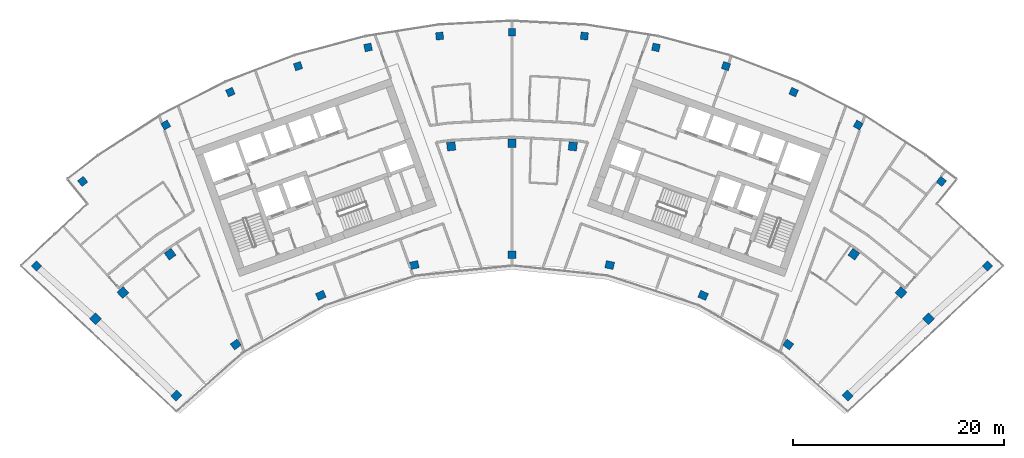
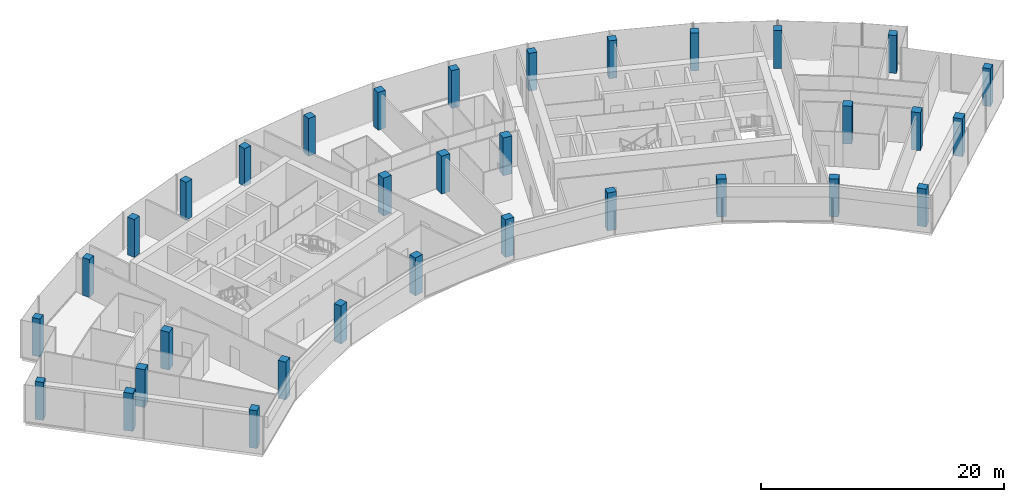
# One storey, part 1 of 18: 33 columns.
"""IFC4 building model written with IfcOpenShell, lengths in metres."""

import ifcopenshell
import ifcopenshell.guid

model = None  # the IFC model being written
_history = None  # IfcOwnerHistory: only IFC2X3 demands one
_inside = {}  # id of a spatial element -> (the spatial element, [elements in it])
_under = {}  # id of a project, library or spatial element -> (it, [spatial elements below it])
_declared = {}  # id of a project -> (the project, [libraries it declares])
_typed = {}  # id of a type object -> (the type object, [elements of that type])
_made_of = {}  # id of a material, layer set ... -> (it, [elements and type objects made of it])


def new_model(schema):
    """Start an empty IFC model of exactly this schema.

    Asked for "IFC4X3", IfcOpenShell would pick the latest addendum, in which some entities
    have other attributes; the version numbers below select the first issue.
    IFC2X3 requires an IfcOwnerHistory on every rooted entity: one is made here for all.
    """
    global model, _history
    if schema == "IFC4X3":
        model = ifcopenshell.file(schema_version=(4, 3, 0, 0))
    else:
        model = ifcopenshell.file(schema=schema)
    _inside.clear()
    _under.clear()
    _declared.clear()
    _typed.clear()
    _made_of.clear()
    _history = None
    if model.schema == "IFC2X3":
        org = make("IfcOrganization", Name="unknown")
        user = make(
            "IfcPersonAndOrganization",
            ThePerson=make("IfcPerson", FamilyName="unknown"),
            TheOrganization=org,
        )
        app = make(
            "IfcApplication",
            ApplicationDeveloper=org,
            Version="unknown",
            ApplicationFullName="unknown",
            ApplicationIdentifier="unknown",
        )
        _history = make(
            "IfcOwnerHistory",
            OwningUser=user,
            OwningApplication=app,
            ChangeAction="ADDED",
            CreationDate=0,
        )
    return model


def make(cls, **values):
    """One entity of the class cls with the attributes given. An attribute that is None is left unset."""
    return model.create_entity(
        cls, **{name: value for name, value in values.items() if value is not None}
    )


def rooted(cls, **values):
    """An entity with a GlobalId (a new one), such as an element, a storey or a relation."""
    return make(cls, GlobalId=ifcopenshell.guid.new(), OwnerHistory=_history, **values)


def si_unit(unit_type, name, prefix=None):
    """IfcSIUnit, for example si_unit("LENGTHUNIT", "METRE", prefix="MILLI")."""
    return make("IfcSIUnit", UnitType=unit_type, Prefix=prefix, Name=name)


def assignment(units):
    """IfcUnitAssignment: the units of a project."""
    return None if units is None else make("IfcUnitAssignment", Units=units)


def point(xyz):
    """IfcCartesianPoint."""
    return None if xyz is None else make("IfcCartesianPoint", Coordinates=xyz)


def direction(xyz):
    """IfcDirection."""
    return None if xyz is None else make("IfcDirection", DirectionRatios=xyz)


def frame(location, z_axis=None, x_axis=None):
    """IfcAxis2Placement3D, a coordinate frame: its origin and axes. An axis left out is left unset."""
    return make(
        "IfcAxis2Placement3D",
        Location=point(location),
        Axis=direction(z_axis),
        RefDirection=direction(x_axis),
    )


def frame_2d(location, x_axis=None):
    """IfcAxis2Placement2D, a coordinate frame in the plane: its origin and x axis."""
    return make(
        "IfcAxis2Placement2D", Location=point(location), RefDirection=direction(x_axis)
    )


def origin():
    """The frame at (0, 0, 0) with its axes left unset."""
    return frame((0.0, 0.0, 0.0))


def origin_2d():
    """The frame at (0, 0) in the plane with its x axis left unset."""
    return frame_2d((0.0, 0.0))


def place(relative_to, where):
    """IfcLocalPlacement: puts the frame where relative to a parent placement (None: the world)."""
    return make(
        "IfcLocalPlacement", PlacementRelTo=relative_to, RelativePlacement=where
    )


def context(
    kind, dimensions, precision=None, world=None, true_north=None, identifier=None
):
    """IfcGeometricRepresentationContext, for example the 3D "Model" context."""
    return make(
        "IfcGeometricRepresentationContext",
        ContextIdentifier=identifier,
        ContextType=kind,
        CoordinateSpaceDimension=dimensions,
        Precision=precision,
        WorldCoordinateSystem=world,
        TrueNorth=true_north,
    )


def subcontext(parent, identifier, kind, view, scale=None):
    """IfcGeometricRepresentationSubContext, for example "Body" below "Model"."""
    return make(
        "IfcGeometricRepresentationSubContext",
        ContextIdentifier=identifier,
        ContextType=kind,
        ParentContext=parent,
        TargetScale=scale,
        TargetView=view,
    )


def project(units=None, contexts=None):
    """IfcProject with its units and contexts."""
    return rooted(
        "IfcProject",
        Name="project",
        RepresentationContexts=contexts,
        UnitsInContext=assignment(units),
    )


def spatial(cls, under=None, at=None, **own):
    """A site, building, storey or space (cls), placed at a placement, below another one or the project."""
    s = rooted(cls, ObjectPlacement=at, **own)
    if under is not None:
        _under.setdefault(under.id(), (under, []))[1].append(s)
    return s


def profile(cls, at=None, kind="AREA", **sizes):
    """A parametric profile (cls). Its sizes go by their IFC names, for example OverallWidth=200.0."""
    return make(cls, ProfileType=kind, Position=at, **sizes)


def rectangle(**sizes):
    """IfcRectangleProfileDef."""
    return profile("IfcRectangleProfileDef", **sizes)


def extrude(swept, where, along, depth):
    """IfcExtrudedAreaSolid: the profile swept, set in the frame where, extruded along a direction by depth."""
    return make(
        "IfcExtrudedAreaSolid",
        SweptArea=swept,
        Position=where,
        ExtrudedDirection=direction(along),
        Depth=depth,
    )


def shape(context_of_items, identifier, shape_type, items):
    """IfcShapeRepresentation: the items that make up one representation, for example the "Body"."""
    return make(
        "IfcShapeRepresentation",
        ContextOfItems=context_of_items,
        RepresentationIdentifier=identifier,
        RepresentationType=shape_type,
        Items=items,
    )


def material(Name=None, Category=None):
    """IfcMaterial."""
    return make("IfcMaterial", Name=Name, Category=Category)


def material_profile(
    of_material, cross_section, Name=None, Category=None, Priority=None
):
    """IfcMaterialProfile: a cross section and its material."""
    return make(
        "IfcMaterialProfile",
        Name=Name,
        Material=of_material,
        Profile=cross_section,
        Priority=Priority,
        Category=Category,
    )


def profile_set(profiles, Name=None, composite=None):
    """IfcMaterialProfileSet."""
    return make(
        "IfcMaterialProfileSet",
        Name=Name,
        MaterialProfiles=profiles,
        CompositeProfile=composite,
    )


def made_of(thing, what):
    """Note that an element or type object is made of a material, layer set ...; save() writes the relation."""
    if what is not None:
        _made_of.setdefault(what.id(), (what, []))[1].append(thing)
    return thing


def type_object(cls, material=None, **own):
    """A type object (cls), such as IfcWallType, which elements share."""
    return made_of(rooted(cls, **own), material)


def element(
    cls,
    number,
    at=None,
    inside=None,
    cuts=None,
    type_object=None,
    material=None,
    context=None,
    identifier="Body",
    shape_type=None,
    held_by="IfcProductDefinitionShape",
    body=None,
    shapes=None,
    **own,
):
    """One element of the class cls, such as IfcWall. Its Tag is "e" and its number.

    at: its placement. inside: the storey or other place that contains it. cuts: it is an
    opening in that element (IfcRelVoidsElement). A single representation is given by context,
    identifier, shape_type and body (its items); several are given by shapes. held_by: the class
    of the entity that holds the representations. save() writes the other relations.
    """
    e = rooted(cls, Tag="e%d" % number, ObjectPlacement=at, **own)
    if body is not None:
        shapes = [shape(context, identifier, shape_type, body)]
    if shapes is not None:
        e.Representation = make(held_by, Representations=shapes)
    if inside is not None:
        _inside.setdefault(inside.id(), (inside, []))[1].append(e)
    if cuts is not None:
        rooted(
            "IfcRelVoidsElement", RelatingBuildingElement=cuts, RelatedOpeningElement=e
        )
    if type_object is not None:
        _typed.setdefault(type_object.id(), (type_object, []))[1].append(e)
    return made_of(e, material)


def aggregate(whole, parts):
    """IfcRelAggregates: a whole, such as a stair, and the parts it consists of."""
    return rooted("IfcRelAggregates", RelatingObject=whole, RelatedObjects=parts)


def save(model, path):
    """Write the relations noted so far, then the file.

    IfcRelAggregates (storeys below a building ...), IfcRelContainedInSpatialStructure (elements
    in a storey), IfcRelDefinesByType, IfcRelAssociatesMaterial and IfcRelDeclares: one each for
    every whole, place, type object, material and project.
    """
    for whole, parts in _under.values():
        aggregate(whole, parts)
    for where, things in _inside.values():
        rooted(
            "IfcRelContainedInSpatialStructure",
            RelatedElements=things,
            RelatingStructure=where,
        )
    for kind, things in _typed.values():
        rooted("IfcRelDefinesByType", RelatedObjects=things, RelatingType=kind)
    for what, things in _made_of.values():
        rooted("IfcRelAssociatesMaterial", RelatedObjects=things, RelatingMaterial=what)
    for by, libraries in _declared.values():
        rooted("IfcRelDeclares", RelatingContext=by, RelatedDefinitions=libraries)
    model.write(path)


model = new_model("IFC4")

# Units and contexts
model_context = context("Model", 3, precision=1e-05, world=origin(), true_north=direction((0.0, 1.0)))
body_context = subcontext(model_context, "Body", "Model", "MODEL_VIEW")
ifc_project = project(units=[si_unit("LENGTHUNIT", "METRE"), si_unit("AREAUNIT", "SQUARE_METRE"), si_unit("VOLUMEUNIT", "CUBIC_METRE"), si_unit("PLANEANGLEUNIT", "RADIAN"), si_unit("MASSUNIT", "GRAM", prefix="KILO")], contexts=[model_context])

# Site, building, storey
site_placement = place(None, origin())
site = spatial("IfcSite", under=ifc_project, at=site_placement, CompositionType="ELEMENT")
building_placement = place(site_placement, origin())
building = spatial("IfcBuilding", under=site, at=building_placement, Name="Stone Belt Terrace Tower", CompositionType="ELEMENT")
storey_placement = place(building_placement, frame((0.0, 0.0, 273.199951171875)))
storey = spatial("IfcBuildingStorey", under=building, at=storey_placement, Name="L66", CompositionType="ELEMENT", Elevation=273.199951171875)

# Columns
ifc_material = material(Name="Concrete B60", Category="concrete")
ifc_material_profile_1 = material_profile(ifc_material, rectangle(XDim=0.699951171875, YDim=0.699951171875, at=origin_2d()), Name="RC 700x700")
ifc_profile_set_1 = profile_set([ifc_material_profile_1], Name="Concrete B60")
column_type_1 = type_object("IfcColumnType", Name="Column RC 700x700 B60", PredefinedType="COLUMN", material=ifc_profile_set_1)
for number, where, z_axis, x_axis, name in (
    (1, (-44.97705078125, 43.381103515625, 0.0), (0.0, 0.0, 1.0), (0.694221333646, 0.719761585465, 0.0), "Column L66 RA"),
    (2, (44.97705078125, 43.381103515625, 0.0), (0.0, 0.0, 1.0), (0.694221333646, -0.719761585465, 0.0), "Column L66 RB"),
    (3, (-40.605712890625, 51.380615234375, 0.0), (0.0, 0.0, 1.0), (0.784569718703, 0.620040608746, 0.0), "Column L66 RNA"),
    (4, (-32.744384765625, 56.715087890625, 0.0), (0.0, 0.0, 1.0), (0.866025403784, 0.5, 0.0), "Column L66 R17"),
    (5, (-26.63671875, 59.8271484375, 0.0), (0.0, 0.0, 1.0), (0.913545457643, 0.406736643076, 0.0), "Column L66 R18"),
    (6, (-20.2373046875, 62.28369140625, 0.0), (0.0, 0.0, 1.0), (0.951056516295, 0.309016994375, 0.0), "Column L66 R19"),
    (7, (-13.615966796875, 64.057861328125, 0.0), (0.0, 0.0, 1.0), (0.978147600734, 0.207911690818, 0.0), "Column L66 R20"),
    (8, (-6.845458984375, 65.130126953125, 0.0), (0.0, 0.0, 1.0), (0.994521895368, 0.104528463268, 0.0), "Column L66 R21"),
    (9, (0.0, 65.489013671875, 0.0), (0.0, 0.0, 1.0), (1.0, 0.0, 0.0), "Column L66 R22"),
    (10, (6.845458984375, 65.130126953125, 0.0), (0.0, 0.0, 1.0), (0.994521895368, -0.104528463268, 0.0), "Column L66 R23"),
    (11, (13.615966796875, 64.057861328125, 0.0), (0.0, 0.0, 1.0), (0.978147600734, -0.207911690818, 0.0), "Column L66 R24"),
    (12, (20.2373046875, 62.28369140625, 0.0), (0.0, 0.0, 1.0), (0.951056516295, -0.309016994375, 0.0), "Column L66 R25"),
    (13, (26.63671875, 59.8271484375, 0.0), (0.0, 0.0, 1.0), (0.913545457643, -0.406736643076, 0.0), "Column L66 R26"),
    (14, (32.744384765625, 56.715087890625, 0.0), (0.0, 0.0, 1.0), (0.866025403784, -0.5, 0.0), "Column L66 R27"),
    (15, (40.605712890625, 51.380615234375, 0.0), (0.0, 0.0, 1.0), (0.784569718703, -0.620040608746, 0.0), "Column L66 RNB"),
):
    element("IfcColumn", number, at=place(storey_placement, frame(where, z_axis=z_axis, x_axis=x_axis)), inside=storey, type_object=column_type_1, Name=name, PredefinedType="COLUMN", context=body_context, shape_type="SweptSolid", body=[
        extrude(rectangle(XDim=0.699951171875, YDim=0.699951171875, at=origin_2d()), origin(), (0.0, 0.0, 1.0), 3.800048828125),
    ])
ifc_material_profile_2 = material_profile(ifc_material, rectangle(XDim=0.800048828125, YDim=0.699951171875, at=origin_2d()), Name="RC 800x700")
ifc_profile_set_2 = profile_set([ifc_material_profile_2], Name="Concrete B60")
column_type_2 = type_object("IfcColumnType", Name="Column RC 800x700 B60", PredefinedType="COLUMN", material=ifc_profile_set_2)
for number, where, z_axis, x_axis, name in (
    (16, (-31.73486328125, 31.11669921875, 0.0), (0.0, 0.0, 1.0), (0.700119596097, 0.714025595592, 0.0), "Column L66 PA"),
    (17, (-26.1240234375, 35.956787109375, 0.0), (0.0, 0.0, 1.0), (0.809016994375, 0.587785252292, 0.0), "Column L66 P16"),
    (18, (-18.077392578125, 40.6025390625, 0.0), (0.0, 0.0, 1.0), (0.913545457643, 0.406736643076, 0.0), "Column L66 P18"),
    (19, (-9.240478515625, 43.473876953125, 0.0), (0.0, 0.0, 1.0), (0.978147600734, 0.207911690818, 0.0), "Column L66 P20"),
    (20, (0.0, 44.445068359375, 0.0), (0.0, 0.0, 1.0), (1.0, 0.0, 0.0), "Column L66 P22"),
    (21, (9.240478515625, 43.473876953125, 0.0), (0.0, 0.0, 1.0), (0.978147600734, -0.207911690818, 0.0), "Column L66 P24"),
    (22, (18.077392578125, 40.6025390625, 0.0), (0.0, 0.0, 1.0), (0.913545457643, -0.406736643076, 0.0), "Column L66 P26"),
    (23, (26.1240234375, 35.956787109375, 0.0), (0.0, 0.0, 1.0), (0.809016994375, -0.587785252292, 0.0), "Column L66 P28"),
    (24, (31.73486328125, 31.11669921875, 0.0), (0.0, 0.0, 1.0), (0.700119596097, -0.714025595592, 0.0), "Column L66 PB"),
):
    element("IfcColumn", number, at=place(storey_placement, frame(where, z_axis=z_axis, x_axis=x_axis)), inside=storey, type_object=column_type_2, Name=name, PredefinedType="COLUMN", context=body_context, shape_type="SweptSolid", body=[
        extrude(rectangle(XDim=0.800048828125, YDim=0.699951171875, at=origin_2d()), origin(), (0.0, 0.0, 1.0), 3.800048828125),
    ])
ifc_material_profile_3 = material_profile(ifc_material, rectangle(XDim=0.800048828125, YDim=0.800048828125, at=origin_2d()), Name="RC 800x800")
ifc_profile_set_3 = profile_set([ifc_material_profile_3], Name="Concrete B60")
column_type_3 = type_object("IfcColumnType", Name="Column RC 800x800 B60", PredefinedType="COLUMN", material=ifc_profile_set_3)
for number, where, z_axis, x_axis, name in (
    (25, (-39.38818359375, 38.386962890625, 0.0), (0.0, 0.0, 1.0), (0.697944216238, 0.716152128406, 0.0), "Column L66 QA"),
    (26, (-36.80224609375, 40.873046875, 0.0), (0.0, 0.0, 1.0), (0.743144825477, 0.669130606359, 0.0), "Column L66 Q15"),
    (27, (-32.328125, 44.495849609375, 0.0), (0.0, 0.0, 1.0), (0.809016994375, 0.587785252292, 0.0), "Column L66 Q16"),
    (28, (-5.7490234375, 54.69873046875, 0.0), (0.0, 0.0, 1.0), (0.994521895368, 0.104528463268, 0.0), "Column L66 Q21"),
    (29, (0.0, 55.0, 0.0), (0.0, 0.0, 1.0), (1.0, 0.0, 0.0), "Column L66 Q22"),
    (30, (5.7490234375, 54.69873046875, 0.0), (0.0, 0.0, 1.0), (0.994521895368, -0.104528463268, 0.0), "Column L66 Q23"),
    (31, (32.328125, 44.495849609375, 0.0), (0.0, 0.0, 1.0), (0.809016994375, -0.587785252292, 0.0), "Column L66 Q28"),
    (32, (36.80224609375, 40.873046875, 0.0), (0.0, 0.0, 1.0), (0.743144825477, -0.669130606359, 0.0), "Column L66 Q29"),
    (33, (39.38818359375, 38.386962890625, 0.0), (0.0, 0.0, 1.0), (0.697944216238, -0.716152128406, 0.0), "Column L66 QB"),
):
    element("IfcColumn", number, at=place(storey_placement, frame(where, z_axis=z_axis, x_axis=x_axis)), inside=storey, type_object=column_type_3, Name=name, PredefinedType="COLUMN", context=body_context, shape_type="SweptSolid", body=[
        extrude(rectangle(XDim=0.800048828125, YDim=0.800048828125, at=origin_2d()), origin(), (0.0, 0.0, 1.0), 3.800048828125),
    ])

save(model, "model.ifc")
